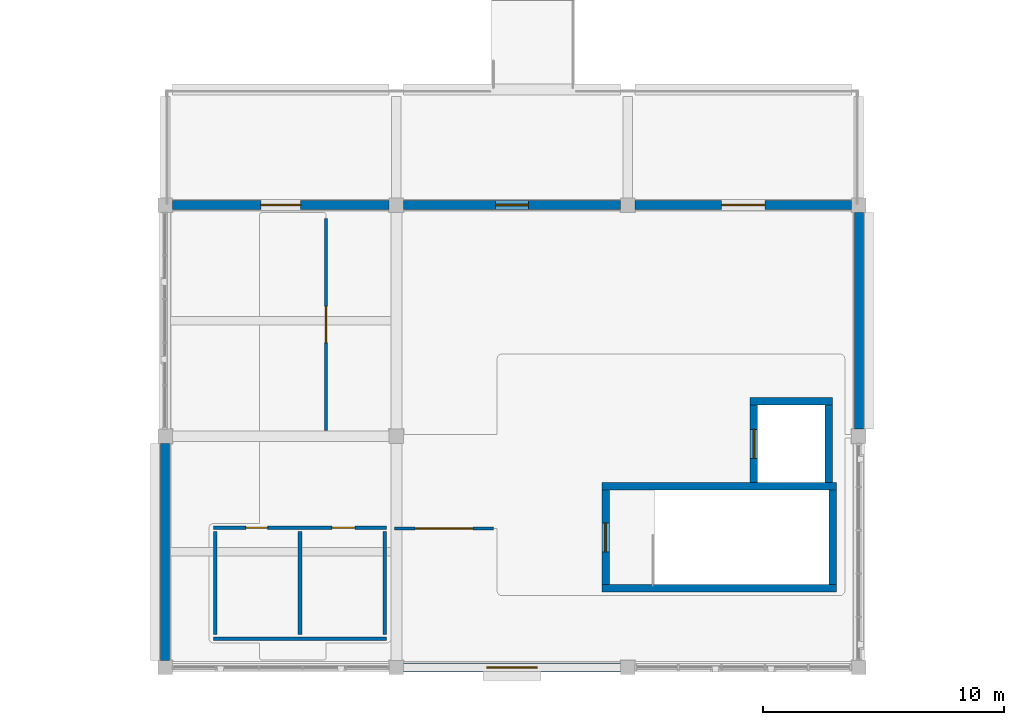
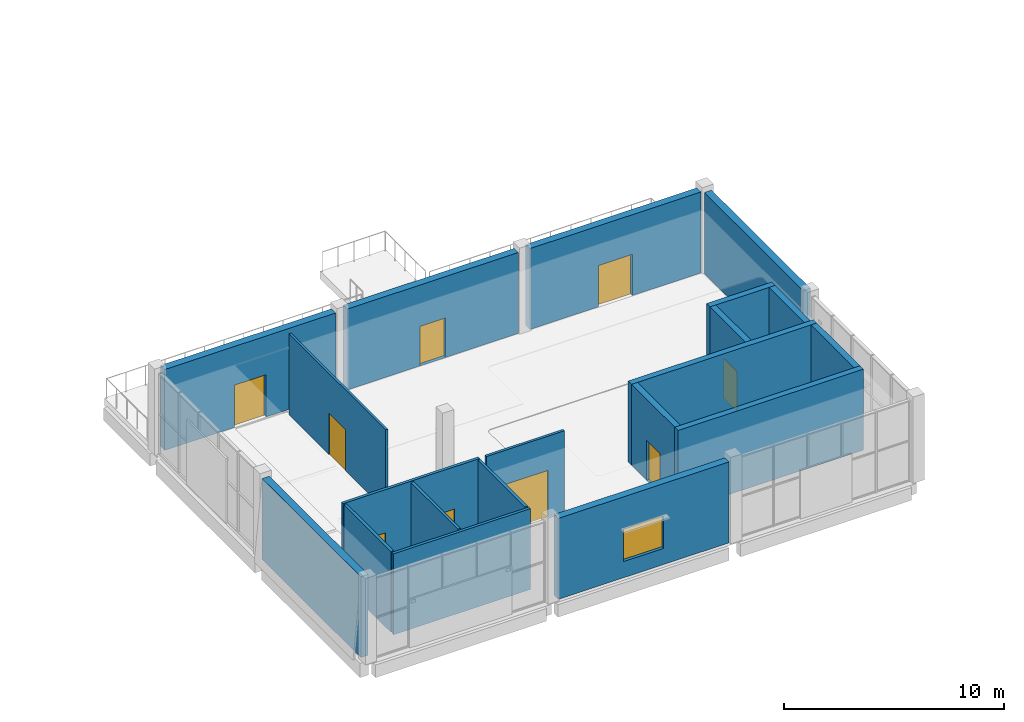
# One storey, part 26 of 37: 20 walls, 9 doors, 1 window, 10 openings.
"""IFC4 building model written with IfcOpenShell, lengths in metres."""

from ifc_helpers import new_model, si_unit, direction, frame, frame_2d, origin, place, context, subcontext, project, spatial, rectangle, extrude, material, layer, layer_set, type_object, element, fill, save


model = new_model("IFC4")

# Units and contexts
model_context = context("Model", 3, precision=1e-05, world=origin(), true_north=direction((0.0, 1.0)))
body_context = subcontext(model_context, "Body", "Model", "MODEL_VIEW")
ifc_project = project(units=[si_unit("LENGTHUNIT", "METRE"), si_unit("AREAUNIT", "SQUARE_METRE"), si_unit("VOLUMEUNIT", "CUBIC_METRE"), si_unit("PLANEANGLEUNIT", "RADIAN"), si_unit("MASSUNIT", "GRAM", prefix="KILO")], contexts=[model_context])

# Site, building, storey
site_placement = place(None, origin())
site = spatial("IfcSite", under=ifc_project, at=site_placement, CompositionType="ELEMENT")
building_placement = place(site_placement, origin())
building = spatial("IfcBuilding", under=site, at=building_placement, Name="Shalvenor Court Art Gallery", CompositionType="ELEMENT")
storey_placement = place(building_placement, frame((0.0, 0.0, 22.199951171875)))
storey = spatial("IfcBuildingStorey", under=building, at=storey_placement, Name="L04", CompositionType="ELEMENT", Elevation=22.199951171875)

# Walls
ifc_material_1 = material(Name="Concrete C40/50", Category="concrete")
ifc_layer_1 = layer(ifc_material_1, 0.31005859375, Name="Concrete C40/50")
ifc_layer_set_1 = layer_set([ifc_layer_1], Name="Concrete C40/50")
wall_type_1 = type_object("IfcWallType", Name="CW-W2", PredefinedType="SHEAR", material=ifc_layer_set_1)
wall_1_placement = place(storey_placement, frame((114.1279296875, 7.51708984375, 0.0), z_axis=(0.0, 0.0, 1.0), x_axis=(1.0, 0.0, 0.0)))
element("IfcWall", 1, at=wall_1_placement, inside=storey, type_object=wall_type_1, Name="L04 C4 Stair Core Shear Wall N", PredefinedType="SHEAR", context=body_context, shape_type="SweptSolid", body=[
    extrude(rectangle(XDim=9.744140625, YDim=0.31005859375, at=frame_2d((4.8720703125, 0.0))), origin(), (0.0, 0.0, 1.0), 4.5),
])
wall_2_placement = place(storey_placement, frame((123.717041015625, 7.362060546875, 0.0), z_axis=(0.0, 0.0, 1.0), x_axis=(0.0, -1.0, 0.0)))
element("IfcWall", 2, at=wall_2_placement, inside=storey, type_object=wall_type_1, Name="L04 C4 Stair Core Shear Wall E", PredefinedType="SHEAR", context=body_context, shape_type="SweptSolid", body=[
    extrude(rectangle(XDim=3.924072265625, YDim=0.31005859375, at=frame_2d((1.9619140625, 0.0))), origin(), (0.0, 0.0, 1.0), 4.5),
])
wall_3_placement = place(storey_placement, frame((123.8720703125, 3.282958984375, 0.0), z_axis=(0.0, 0.0, 1.0), x_axis=(-1.0, 0.0, 0.0)))
element("IfcWall", 3, at=wall_3_placement, inside=storey, type_object=wall_type_1, Name="L04 C4 Stair Core Shear Wall S", PredefinedType="SHEAR", context=body_context, shape_type="SweptSolid", body=[
    extrude(rectangle(XDim=9.744140625, YDim=0.31005859375, at=frame_2d((4.8720703125, 0.0))), origin(), (0.0, 0.0, 1.0), 4.5),
])

# Wall, opening, door
wall_4_placement = place(storey_placement, frame((114.282958984375, 3.43798828125, 0.0), z_axis=(0.0, 0.0, 1.0), x_axis=(0.0, 1.0, 0.0)))
wall_4 = element("IfcWall", 4, at=wall_4_placement, inside=storey, type_object=wall_type_1, Name="L04 C4 Stair Core Shear Wall W", PredefinedType="SHEAR", context=body_context, shape_type="SweptSolid", body=[
    extrude(rectangle(XDim=3.924072265625, YDim=0.31005859375, at=frame_2d((1.9619140625, 0.0))), origin(), (0.0, 0.0, 1.0), 4.5),
])
opening_1_placement = place(wall_4_placement, frame((1.362060546875, 0.0, 0.0)))
opening_1 = element("IfcOpeningElement", 5, at=opening_1_placement, cuts=wall_4, Name="Opening FD-01", PredefinedType="OPENING", context=body_context, shape_type="SweptSolid", body=[
    extrude(rectangle(XDim=1.199951171875, YDim=2.199951171875, at=frame_2d((0.60009765625, 1.10009765625))), frame((0.0, 0.1650390625, 0.0), z_axis=(0.0, -1.0, 0.0), x_axis=(1.0, 0.0, 0.0)), (0.0, 0.0, 1.0), 0.330078125),
])
ifc_material_2 = material(Name="Fire-rated steel stair doorset", Category="steel")
door_type_1 = type_object("IfcDoorType", Name="FD-01", OperationType="NOTDEFINED", PredefinedType="DOOR", material=ifc_material_2)
door_1_placement = place(opening_1_placement, origin())
door_1 = element("IfcDoor", 6, at=door_1_placement, inside=storey, type_object=door_type_1, Name="DR-ST-L04-C4 L04 ST-04 Fire Stair Door", OperationType="SINGLE_SWING_LEFT", OverallHeight=2.199951171875, OverallWidth=1.199951171875, PredefinedType="DOOR", context=body_context, shape_type="SweptSolid", body=[
    extrude(rectangle(XDim=1.199951171875, YDim=2.199951171875, at=frame_2d((0.60009765625, 1.10009765625))), frame((0.0, 0.02490234375, 0.0), z_axis=(0.0, -1.0, 0.0), x_axis=(1.0, 0.0, 0.0)), (0.0, 0.0, 1.0), 0.050048828125),
])
fill(opening_1, door_1)

# Walls
wall_5_placement = place(storey_placement, frame((120.2900390625, 11.054931640625, 0.0), z_axis=(0.0, 0.0, 1.0), x_axis=(1.0, 0.0, 0.0)))
element("IfcWall", 7, at=wall_5_placement, inside=storey, type_object=wall_type_1, Name="L04 PL-02 Lift Shaft Wall N", PredefinedType="SHEAR", context=body_context, shape_type="SweptSolid", body=[
    extrude(rectangle(XDim=3.419921875, YDim=0.31005859375, at=frame_2d((1.7099609375, 0.0))), origin(), (0.0, 0.0, 1.0), 4.5),
])
wall_6_placement = place(storey_placement, frame((123.554931640625, 10.89990234375, 0.0), z_axis=(0.0, 0.0, 1.0), x_axis=(0.0, -1.0, 0.0)))
element("IfcWall", 8, at=wall_6_placement, inside=storey, type_object=wall_type_1, Name="L04 PL-02 Lift Shaft Wall E", PredefinedType="SHEAR", context=body_context, shape_type="SweptSolid", body=[
    extrude(rectangle(XDim=3.227783203125, YDim=0.31005859375, at=frame_2d((1.61376953125, 0.0))), origin(), (0.0, 0.0, 1.0), 4.5),
])

# Wall, opening, door
wall_7_placement = place(storey_placement, frame((120.445068359375, 7.672119140625, 0.0), z_axis=(0.0, 0.0, 1.0), x_axis=(0.0, 1.0, 0.0)))
wall_7 = element("IfcWall", 9, at=wall_7_placement, inside=storey, type_object=wall_type_1, Name="L04 PL-02 Lift Shaft Wall W", PredefinedType="SHEAR", context=body_context, shape_type="SweptSolid", body=[
    extrude(rectangle(XDim=3.227783203125, YDim=0.31005859375, at=frame_2d((1.61376953125, 0.0))), origin(), (0.0, 0.0, 1.0), 4.5),
])
opening_2_placement = place(wall_7_placement, frame((1.013916015625, 0.0, 0.0)))
opening_2 = element("IfcOpeningElement", 10, at=opening_2_placement, cuts=wall_7, Name="Opening LD-02", PredefinedType="OPENING", context=body_context, shape_type="SweptSolid", body=[
    extrude(rectangle(XDim=1.199951171875, YDim=2.199951171875, at=frame_2d((0.60009765625, 1.10009765625))), frame((0.0, 0.1650390625, 0.0), z_axis=(0.0, -1.0, 0.0), x_axis=(1.0, 0.0, 0.0)), (0.0, 0.0, 1.0), 0.330078125),
])
ifc_material_3 = material(Name="Brushed stainless passenger lift sliding landing door", Category="steel")
door_type_2 = type_object("IfcDoorType", Name="LD-02", OperationType="NOTDEFINED", PredefinedType="DOOR", material=ifc_material_3)
door_2_placement = place(opening_2_placement, origin())
door_2 = element("IfcDoor", 11, at=door_2_placement, inside=storey, type_object=door_type_2, Name="DR-LD-L04-PL-02 L04 PL-02 Lift Landing Sliding Door", OperationType="DOUBLE_DOOR_SLIDING", OverallHeight=2.199951171875, OverallWidth=1.199951171875, PredefinedType="DOOR", context=body_context, shape_type="SweptSolid", body=[
    extrude(rectangle(XDim=1.199951171875, YDim=2.199951171875, at=frame_2d((0.60009765625, 1.10009765625))), frame((0.0, 0.02490234375, 0.0), z_axis=(0.0, -1.0, 0.0), x_axis=(1.0, 0.0, 0.0)), (0.0, 0.0, 1.0), 0.050048828125),
])
fill(opening_2, door_2)

ifc_material_4 = material(Name="Concrete C40/50", Category="concrete")
ifc_layer_2 = layer(ifc_material_4, 0.3798828125, Name="Concrete C40/50")
ifc_layer_set_2 = layer_set([ifc_layer_2], Name="Concrete C40/50")
wall_type_2 = type_object("IfcWallType", Name="EW-03", PredefinedType="SOLIDWALL", material=ifc_layer_set_2)
wall_8_placement = place(storey_placement, frame((96.300048828125, 19.199951171875, 0.0), z_axis=(0.0, 0.0, 1.0), x_axis=(1.0, 0.0, 0.0)))
wall_8 = element("IfcWall", 12, at=wall_8_placement, inside=storey, type_object=wall_type_2, Name="L04 V3 Exterior Wall WL-L04-0215", PredefinedType="SOLIDWALL", context=body_context, shape_type="SweptSolid", body=[
    extrude(rectangle(XDim=9.0, YDim=0.3798828125, at=frame_2d((4.5, 0.0))), origin(), (0.0, 0.0, 1.0), 4.5),
])
opening_3_placement = place(wall_8_placement, frame((3.675048828125, 0.0, 0.0)))
opening_3 = element("IfcOpeningElement", 13, at=opening_3_placement, cuts=wall_8, Name="Opening TD-05", PredefinedType="OPENING", context=body_context, shape_type="SweptSolid", body=[
    extrude(rectangle(XDim=1.64990234375, YDim=2.35009765625, at=frame_2d((0.824951171875, 1.175048828125))), frame((0.0, 0.199951171875, 0.0), z_axis=(0.0, -1.0, 0.0), x_axis=(1.0, 0.0, 0.0)), (0.0, 0.0, 1.0), 0.39990234375),
])
ifc_material_5 = material(Name="Anodised aluminium glazed terrace door", Category="aluminium")
door_type_3 = type_object("IfcDoorType", Name="TD-05", OperationType="NOTDEFINED", PredefinedType="DOOR", material=ifc_material_5)
door_3_placement = place(opening_3_placement, origin())
door_3 = element("IfcDoor", 14, at=door_3_placement, inside=storey, type_object=door_type_3, Name="DR-TR-041 L04 Gallery Terrace Door", OperationType="DOUBLE_DOOR_SINGLE_SWING", OverallHeight=2.35009765625, OverallWidth=1.64990234375, PredefinedType="DOOR", context=body_context, shape_type="SweptSolid", body=[
    extrude(rectangle(XDim=1.64990234375, YDim=2.35009765625, at=frame_2d((0.824951171875, 1.175048828125))), frame((0.0, 0.02490234375, 0.0), z_axis=(0.0, -1.0, 0.0), x_axis=(1.0, 0.0, 0.0)), (0.0, 0.0, 1.0), 0.050048828125),
])
fill(opening_3, door_3)

wall_9_placement = place(storey_placement, frame((105.89990234375, 19.199951171875, 0.0), z_axis=(0.0, 0.0, 1.0), x_axis=(1.0, 0.0, 0.0)))
wall_9 = element("IfcWall", 15, at=wall_9_placement, inside=storey, type_object=wall_type_2, Name="L04 V3 Exterior Wall WL-L04-0216", PredefinedType="SOLIDWALL", context=body_context, shape_type="SweptSolid", body=[
    extrude(rectangle(XDim=9.0, YDim=0.3798828125, at=frame_2d((4.5, 0.0))), origin(), (0.0, 0.0, 1.0), 4.5),
])
opening_4_placement = place(wall_9_placement, frame((3.824951171875, 0.0, 0.0)))
opening_4 = element("IfcOpeningElement", 16, at=opening_4_placement, cuts=wall_9, Name="Opening TD-06", PredefinedType="OPENING", context=body_context, shape_type="SweptSolid", body=[
    extrude(rectangle(XDim=1.35009765625, YDim=2.199951171875, at=frame_2d((0.675048828125, 1.10009765625))), frame((0.0, 0.199951171875, 0.0), z_axis=(0.0, -1.0, 0.0), x_axis=(1.0, 0.0, 0.0)), (0.0, 0.0, 1.0), 0.39990234375),
])
ifc_material_6 = material(Name="Anodised aluminium glazed terrace door", Category="aluminium")
door_type_4 = type_object("IfcDoorType", Name="TD-06", OperationType="NOTDEFINED", PredefinedType="DOOR", material=ifc_material_6)
door_4_placement = place(opening_4_placement, origin())
door_4 = element("IfcDoor", 17, at=door_4_placement, inside=storey, type_object=door_type_4, Name="DR-TR-042 L04 Gallery Terrace Door", OperationType="SINGLE_SWING_LEFT", OverallHeight=2.199951171875, OverallWidth=1.35009765625, PredefinedType="DOOR", context=body_context, shape_type="SweptSolid", body=[
    extrude(rectangle(XDim=1.35009765625, YDim=2.199951171875, at=frame_2d((0.675048828125, 1.10009765625))), frame((0.0, 0.02490234375, 0.0), z_axis=(0.0, -1.0, 0.0), x_axis=(1.0, 0.0, 0.0)), (0.0, 0.0, 1.0), 0.050048828125),
])
fill(opening_4, door_4)

wall_10_placement = place(storey_placement, frame((115.5, 19.199951171875, 0.0), z_axis=(0.0, 0.0, 1.0), x_axis=(1.0, 0.0, 0.0)))
wall_10 = element("IfcWall", 18, at=wall_10_placement, inside=storey, type_object=wall_type_2, Name="L04 V3 Exterior Wall WL-L04-0217", PredefinedType="SOLIDWALL", context=body_context, shape_type="SweptSolid", body=[
    extrude(rectangle(XDim=9.0, YDim=0.3798828125, at=frame_2d((4.5, 0.0))), origin(), (0.0, 0.0, 1.0), 4.5),
])
opening_5_placement = place(wall_10_placement, frame((3.60009765625, 0.0, 0.0)))
opening_5 = element("IfcOpeningElement", 19, at=opening_5_placement, cuts=wall_10, Name="Opening TD-01", PredefinedType="OPENING", context=body_context, shape_type="SweptSolid", body=[
    extrude(rectangle(XDim=1.800048828125, YDim=2.300048828125, at=frame_2d((0.89990234375, 1.14990234375))), frame((0.0, 0.199951171875, 0.0), z_axis=(0.0, -1.0, 0.0), x_axis=(1.0, 0.0, 0.0)), (0.0, 0.0, 1.0), 0.39990234375),
])
ifc_material_7 = material(Name="Anodised aluminium glazed terrace door", Category="aluminium")
door_type_5 = type_object("IfcDoorType", Name="TD-01", OperationType="NOTDEFINED", PredefinedType="DOOR", material=ifc_material_7)
door_5_placement = place(opening_5_placement, origin())
door_5 = element("IfcDoor", 20, at=door_5_placement, inside=storey, type_object=door_type_5, Name="DR-TR-043 L04 Gallery Terrace Door", OperationType="DOUBLE_DOOR_SINGLE_SWING", OverallHeight=2.300048828125, OverallWidth=1.800048828125, PredefinedType="DOOR", context=body_context, shape_type="SweptSolid", body=[
    extrude(rectangle(XDim=1.800048828125, YDim=2.300048828125, at=frame_2d((0.89990234375, 1.14990234375))), frame((0.0, 0.02490234375, 0.0), z_axis=(0.0, -1.0, 0.0), x_axis=(1.0, 0.0, 0.0)), (0.0, 0.0, 1.0), 0.050048828125),
])
fill(opening_5, door_5)

# Wall
wall_11_placement = place(storey_placement, frame((124.800048828125, 18.89990234375, 0.0), z_axis=(0.0, 0.0, 1.0), x_axis=(0.0, -1.0, 0.0)))
element("IfcWall", 21, at=wall_11_placement, inside=storey, type_object=wall_type_2, Name="L04 V3 Exterior Wall WL-L04-0218", PredefinedType="SOLIDWALL", context=body_context, shape_type="SweptSolid", body=[
    extrude(rectangle(XDim=9.0, YDim=0.3798828125, at=frame_2d((4.5, 0.0))), origin(), (0.0, 0.0, 1.0), 4.5),
])

# Wall, opening, window
wall_12_placement = place(storey_placement, frame((114.89990234375, 0.0, 0.0), z_axis=(0.0, 0.0, 1.0), x_axis=(-1.0, 0.0, 0.0)))
wall_12 = element("IfcWall", 22, at=wall_12_placement, inside=storey, type_object=wall_type_2, Name="L04 V3 Exterior Wall WL-L04-0219", PredefinedType="SOLIDWALL", context=body_context, shape_type="SweptSolid", body=[
    extrude(rectangle(XDim=9.0, YDim=0.3798828125, at=frame_2d((4.5, 0.0))), origin(), (0.0, 0.0, 1.0), 4.5),
])
opening_6_placement = place(wall_12_placement, frame((3.449951171875, 0.0, 0.89990234375)))
opening_6 = element("IfcOpeningElement", 23, at=opening_6_placement, cuts=wall_12, Name="Opening WN-11", PredefinedType="OPENING", context=body_context, shape_type="SweptSolid", body=[
    extrude(rectangle(XDim=2.10009765625, YDim=1.800048828125, at=frame_2d((1.050048828125, 0.89990234375))), frame((0.0, 0.199951171875, 0.0), z_axis=(0.0, -1.0, 0.0), x_axis=(1.0, 0.0, 0.0)), (0.0, 0.0, 1.0), 0.39990234375),
])
ifc_material_8 = material(Name="Acoustic laminated studio IGU", Category="glass")
window_type = type_object("IfcWindowType", Name="WN-11", PartitioningType="SINGLE_PANEL", PredefinedType="WINDOW", material=ifc_material_8)
window_placement = place(opening_6_placement, origin())
window = element("IfcWindow", 24, at=window_placement, inside=storey, type_object=window_type, Name="L04 Window WIN-L04-0055", OverallHeight=1.800048828125, OverallWidth=2.10009765625, PartitioningType="SINGLE_PANEL", PredefinedType="WINDOW", context=body_context, shape_type="SweptSolid", body=[
    extrude(rectangle(XDim=2.10009765625, YDim=1.800048828125, at=frame_2d((1.050048828125, 0.89990234375))), frame((0.0, 0.030029296875, 0.0), z_axis=(0.0, -1.0, 0.0), x_axis=(1.0, 0.0, 0.0)), (0.0, 0.0, 1.0), 0.06005859375),
])
fill(opening_6, window)

# Wall
wall_13_placement = place(storey_placement, frame((96.0, 0.300048828125, 0.0), z_axis=(0.0, 0.0, 1.0), x_axis=(0.0, 1.0, 0.0)))
element("IfcWall", 25, at=wall_13_placement, inside=storey, type_object=wall_type_2, Name="L04 V3 Exterior Wall WL-L04-0220", PredefinedType="SOLIDWALL", context=body_context, shape_type="SweptSolid", body=[
    extrude(rectangle(XDim=9.0, YDim=0.3798828125, at=frame_2d((4.5, 0.0))), origin(), (0.0, 0.0, 1.0), 4.5),
])

# Wall, openings, doors
ifc_material_9 = material(Name="Moisture-resistant sanitary partition", Category="other")
ifc_layer_3 = layer(ifc_material_9, 0.14990234375, Name="Moisture-resistant sanitary partition")
ifc_layer_set_3 = layer_set([ifc_layer_3], Name="Moisture-resistant sanitary partition")
wall_type_3 = type_object("IfcWallType", Name="PT-03", PredefinedType="PARTITIONING", material=ifc_layer_set_3)
wall_14_placement = place(storey_placement, frame((98.0, 5.800048828125, 0.0), z_axis=(0.0, 0.0, 1.0), x_axis=(1.0, 0.0, 0.0)))
wall_14 = element("IfcWall", 26, at=wall_14_placement, inside=storey, type_object=wall_type_3, Name="L04 C4 Restroom Front Partition", PredefinedType="PARTITIONING", context=body_context, shape_type="SweptSolid", body=[
    extrude(rectangle(XDim=7.199951171875, YDim=0.14990234375, at=frame_2d((3.60009765625, 0.0))), origin(), (0.0, 0.0, 1.0), 4.5),
])
opening_7_placement = place(wall_14_placement, frame((1.35009765625, 0.0, 0.0)))
opening_7 = element("IfcOpeningElement", 27, at=opening_7_placement, cuts=wall_14, Name="Opening ID-07", PredefinedType="OPENING", context=body_context, shape_type="SweptSolid", body=[
    extrude(rectangle(XDim=0.89990234375, YDim=2.10009765625, at=frame_2d((0.449951171875, 1.050048828125))), frame((0.0, 0.0849609375, 0.0), z_axis=(0.0, -1.0, 0.0), x_axis=(1.0, 0.0, 0.0)), (0.0, 0.0, 1.0), 0.169921875),
])
opening_8_placement = place(wall_14_placement, frame((4.925048828125, 0.0, 0.0)))
opening_8 = element("IfcOpeningElement", 28, at=opening_8_placement, cuts=wall_14, Name="Opening ID-06", PredefinedType="OPENING", context=body_context, shape_type="SweptSolid", body=[
    extrude(rectangle(XDim=0.949951171875, YDim=2.14990234375, at=frame_2d((0.47509765625, 1.074951171875))), frame((0.0, 0.0849609375, 0.0), z_axis=(0.0, -1.0, 0.0), x_axis=(1.0, 0.0, 0.0)), (0.0, 0.0, 1.0), 0.169921875),
])
ifc_material_10 = material(Name="Accessible restroom doorset", Category="steel")
door_type_6 = type_object("IfcDoorType", Name="ID-06", OperationType="NOTDEFINED", PredefinedType="DOOR", material=ifc_material_10)
door_6_placement = place(opening_8_placement, origin())
door_6 = element("IfcDoor", 29, at=door_6_placement, inside=storey, type_object=door_type_6, Name="DR-AWC-L04-C4-2 L04 C4 Accessible Restroom Door", OperationType="SINGLE_SWING_LEFT", OverallHeight=2.14990234375, OverallWidth=0.949951171875, PredefinedType="DOOR", context=body_context, shape_type="SweptSolid", body=[
    extrude(rectangle(XDim=0.949951171875, YDim=2.14990234375, at=frame_2d((0.47509765625, 1.074951171875))), frame((0.0, 0.02490234375, 0.0), z_axis=(0.0, -1.0, 0.0), x_axis=(1.0, 0.0, 0.0)), (0.0, 0.0, 1.0), 0.050048828125),
])
fill(opening_8, door_6)
ifc_material_11 = material(Name="Restroom timber doorset", Category="wood")
door_type_7 = type_object("IfcDoorType", Name="ID-07", OperationType="NOTDEFINED", PredefinedType="DOOR", material=ifc_material_11)
door_7_placement = place(opening_7_placement, origin())
door_7 = element("IfcDoor", 30, at=door_7_placement, inside=storey, type_object=door_type_7, Name="DR-WC-L04-C4-1 L04 C4 Public Restroom Door", OperationType="SINGLE_SWING_RIGHT", OverallHeight=2.10009765625, OverallWidth=0.89990234375, PredefinedType="DOOR", context=body_context, shape_type="SweptSolid", body=[
    extrude(rectangle(XDim=0.89990234375, YDim=2.10009765625, at=frame_2d((0.449951171875, 1.050048828125))), frame((0.0, 0.02490234375, 0.0), z_axis=(0.0, -1.0, 0.0), x_axis=(1.0, 0.0, 0.0)), (0.0, 0.0, 1.0), 0.050048828125),
])
fill(opening_7, door_7)

# Walls
wall_15_placement = place(storey_placement, frame((98.0, 1.199951171875, 0.0), z_axis=(0.0, 0.0, 1.0), x_axis=(1.0, 0.0, 0.0)))
element("IfcWall", 31, at=wall_15_placement, inside=storey, type_object=wall_type_3, Name="L04 C4 Restroom Back Partition", PredefinedType="PARTITIONING", context=body_context, shape_type="SweptSolid", body=[
    extrude(rectangle(XDim=7.199951171875, YDim=0.14990234375, at=frame_2d((3.60009765625, 0.0))), origin(), (0.0, 0.0, 1.0), 4.5),
])
for number, where, z_axis, x_axis, name in (
    (32, (98.074951171875, 1.360107421875, 0.0), (0.0, 0.0, 1.0), (0.0, 1.0, 0.0), "L04 C4 Restroom Partition L"),
    (33, (101.60009765625, 1.360107421875, 0.0), (0.0, 0.0, 1.0), (0.0, 1.0, 0.0), "L04 C4 Restroom Partition M"),
    (34, (105.125, 1.360107421875, 0.0), (0.0, 0.0, 1.0), (0.0, 1.0, 0.0), "L04 C4 Restroom Partition R"),
):
    element("IfcWall", number, at=place(storey_placement, frame(where, z_axis=z_axis, x_axis=x_axis)), inside=storey, type_object=wall_type_3, Name=name, PredefinedType="PARTITIONING", context=body_context, shape_type="SweptSolid", body=[
        extrude(rectangle(XDim=4.27978515625, YDim=0.14990234375, at=frame_2d((2.139892578125, 0.0))), origin(), (0.0, 0.0, 1.0), 4.5),
    ])

# Wall, opening, door
ifc_material_12 = material(Name="Insulated studio acoustic partition", Category="other")
ifc_layer_4 = layer(ifc_material_12, 0.135009765625, Name="Insulated studio acoustic partition")
ifc_layer_set_4 = layer_set([ifc_layer_4], Name="Insulated studio acoustic partition")
wall_type_4 = type_object("IfcWallType", Name="PT-04", PredefinedType="PARTITIONING", material=ifc_layer_set_4)
wall_16_placement = place(storey_placement, frame((105.530029296875, 5.77001953125, 0.0), z_axis=(0.0, 0.0, 1.0), x_axis=(1.0, 0.0, 0.0)))
wall_16 = element("IfcWall", 35, at=wall_16_placement, inside=storey, type_object=wall_type_4, Name="L04 Sculpture Exhibition Hall Partition 667", PredefinedType="PARTITIONING", context=body_context, shape_type="SweptSolid", body=[
    extrude(rectangle(XDim=4.099853515625, YDim=0.135009765625, at=frame_2d((2.0498046875, 0.0))), origin(), (0.0, 0.0, 1.0), 4.5),
])
opening_9_placement = place(wall_16_placement, frame((0.85009765625, 0.0, 0.0)))
opening_9 = element("IfcOpeningElement", 36, at=opening_9_placement, cuts=wall_16, Name="Opening ID-08", PredefinedType="OPENING", context=body_context, shape_type="SweptSolid", body=[
    extrude(rectangle(XDim=2.39990234375, YDim=2.60009765625, at=frame_2d((1.199951171875, 1.300048828125))), frame((0.0, 0.077392578125, 0.0), z_axis=(0.0, -1.0, 0.0), x_axis=(1.0, 0.0, 0.0)), (0.0, 0.0, 1.0), 0.155029296875),
])
ifc_material_13 = material(Name="Oversized crate gallery portal double doorset", Category="steel")
door_type_8 = type_object("IfcDoorType", Name="ID-08", OperationType="NOTDEFINED", PredefinedType="DOOR", material=ifc_material_13)
door_8_placement = place(opening_9_placement, origin())
door_8 = element("IfcDoor", 37, at=door_8_placement, inside=storey, type_object=door_type_8, Name="DR-RM-L04-0198 L04 Sculpture Exhibition Hall Door", OperationType="DOUBLE_DOOR_SINGLE_SWING", OverallHeight=2.60009765625, OverallWidth=2.39990234375, PredefinedType="DOOR", context=body_context, shape_type="SweptSolid", body=[
    extrude(rectangle(XDim=2.39990234375, YDim=2.60009765625, at=frame_2d((1.199951171875, 1.300048828125))), frame((0.0, 0.02490234375, 0.0), z_axis=(0.0, -1.0, 0.0), x_axis=(1.0, 0.0, 0.0)), (0.0, 0.0, 1.0), 0.050048828125),
])
fill(opening_9, door_8)

ifc_material_14 = material(Name="Lightweight office gypsum partition", Category="other")
ifc_layer_5 = layer(ifc_material_14, 0.1201171875, Name="Lightweight office gypsum partition")
ifc_layer_set_5 = layer_set([ifc_layer_5], Name="Lightweight office gypsum partition")
wall_type_5 = type_object("IfcWallType", Name="PT-05", PredefinedType="PARTITIONING", material=ifc_layer_set_5)
wall_17_placement = place(storey_placement, frame((102.679931640625, 9.830078125, 0.0), z_axis=(0.0, 0.0, 1.0), x_axis=(0.0, 1.0, 0.0)))
wall_17 = element("IfcWall", 38, at=wall_17_placement, inside=storey, type_object=wall_type_5, Name="L04 Works On Paper Gallery Partition 668", PredefinedType="PARTITIONING", context=body_context, shape_type="SweptSolid", body=[
    extrude(rectangle(XDim=8.81982421875, YDim=0.1201171875, at=frame_2d((4.409912109375, 0.0))), origin(), (0.0, 0.0, 1.0), 4.5),
])
opening_10_placement = place(wall_17_placement, frame((3.659912109375, 0.0, 0.0)))
opening_10 = element("IfcOpeningElement", 39, at=opening_10_placement, cuts=wall_17, Name="Opening ID-09", PredefinedType="OPENING", context=body_context, shape_type="SweptSolid", body=[
    extrude(rectangle(XDim=1.5, YDim=2.300048828125, at=frame_2d((0.75, 1.14990234375))), frame((0.0, 0.070068359375, 0.0), z_axis=(0.0, -1.0, 0.0), x_axis=(1.0, 0.0, 0.0)), (0.0, 0.0, 1.0), 0.14013671875),
])
ifc_material_15 = material(Name="Oak-veneered seminar double doorset", Category="wood")
door_type_9 = type_object("IfcDoorType", Name="ID-09", OperationType="NOTDEFINED", PredefinedType="DOOR", material=ifc_material_15)
door_9_placement = place(opening_10_placement, origin())
door_9 = element("IfcDoor", 40, at=door_9_placement, inside=storey, type_object=door_type_9, Name="DR-RM-L04-0199 L04 Works On Paper Gallery Door", OperationType="DOUBLE_DOOR_SINGLE_SWING", OverallHeight=2.300048828125, OverallWidth=1.5, PredefinedType="DOOR", context=body_context, shape_type="SweptSolid", body=[
    extrude(rectangle(XDim=1.5, YDim=2.300048828125, at=frame_2d((0.75, 1.14990234375))), frame((0.0, 0.02490234375, 0.0), z_axis=(0.0, -1.0, 0.0), x_axis=(1.0, 0.0, 0.0)), (0.0, 0.0, 1.0), 0.050048828125),
])
fill(opening_10, door_9)

save(model, "model.ifc")
